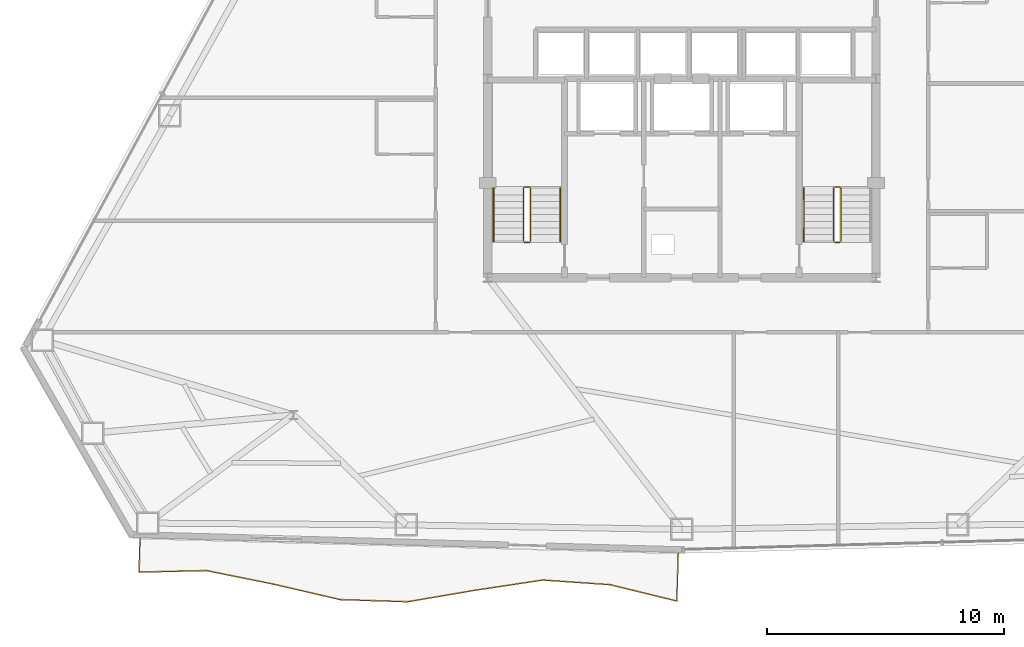
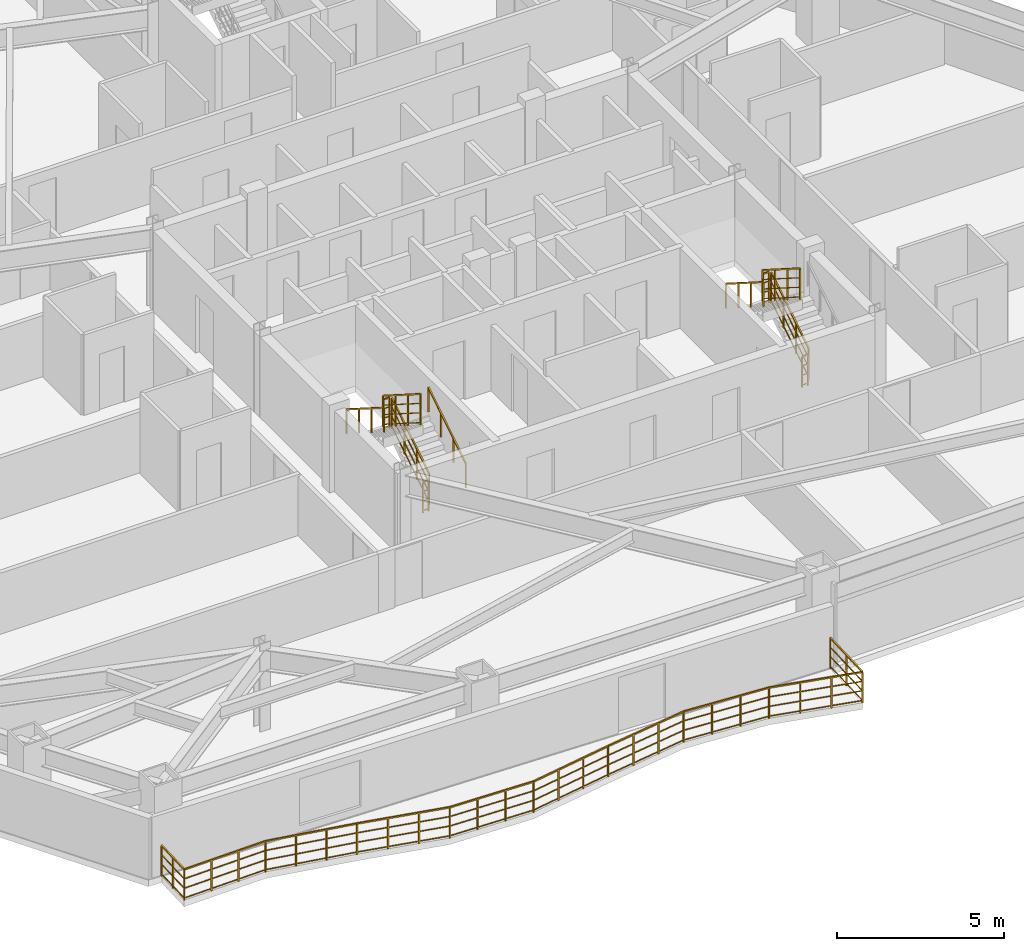
# One storey, part 12 of 13: 21 railings.
"""IFC4 building model written with IfcOpenShell, lengths in metres."""

from ifc_helpers import new_model, si_unit, direction, frame, origin, origin_2d, place, context, subcontext, project, spatial, rectangle, extrude, material, type_object, element, save


model = new_model("IFC4")

# Units and contexts
model_context = context("Model", 3, precision=1e-05, world=origin(), true_north=direction((0.0, 1.0)))
body_context = subcontext(model_context, "Body", "Model", "MODEL_VIEW")
ifc_project = project(units=[si_unit("LENGTHUNIT", "METRE"), si_unit("AREAUNIT", "SQUARE_METRE"), si_unit("VOLUMEUNIT", "CUBIC_METRE"), si_unit("PLANEANGLEUNIT", "RADIAN"), si_unit("MASSUNIT", "GRAM", prefix="KILO")], contexts=[model_context])

# Site, building, storey
site_placement = place(None, origin())
site = spatial("IfcSite", under=ifc_project, at=site_placement, CompositionType="ELEMENT")
building_placement = place(site_placement, origin())
building = spatial("IfcBuilding", under=site, at=building_placement, Name="Varakhsha Concourse Tower", CompositionType="ELEMENT")
storey_placement = place(building_placement, frame((0.0, 0.0, 108.60009765625)))
storey = spatial("IfcBuildingStorey", under=building, at=storey_placement, Name="L31", CompositionType="ELEMENT", Elevation=108.60009765625)

# Railings
ifc_material_1 = material(Name="Laminated Structural Low-Iron Glass 52 mm", Category="glass")
railing_type_1 = type_object("IfcRailingType", Name="RL-BALUSTRADE-1150", PredefinedType="BALUSTRADE", material=ifc_material_1)
railing_1_placement = place(storey_placement, frame((17.11572265625, 5.3876953125, 0.0)))
element("IfcRailing", 1, at=railing_1_placement, inside=storey, type_object=railing_type_1, Name="L31 Perimeter Safety Balustrade RL-LOG-L31-01", PredefinedType="BALUSTRADE", context=body_context, shape_type="SweptSolid", body=[
    extrude(rectangle(XDim=0.048095703125, YDim=0.048095703125, at=origin_2d()), frame((0.0, 0.0, 1.1259765625), z_axis=(-0.027396359008, -0.999624649312, 0.0), x_axis=(0.999624649312, -0.027396359008, 0.0)), (0.0, 0.0, 1.0), 1.42578125),
    extrude(rectangle(XDim=0.028076171875, YDim=0.028076171875, at=origin_2d()), frame((0.0, 0.0, 0.080078125), z_axis=(-0.027396359008, -0.999624649312, 0.0), x_axis=(0.999624649312, -0.027396359008, 0.0)), (0.0, 0.0, 1.0), 1.42578125),
    extrude(rectangle(XDim=0.028076171875, YDim=0.028076171875, at=origin_2d()), frame((0.0, 0.0, 0.43701171875), z_axis=(-0.027396359008, -0.999624649312, 0.0), x_axis=(0.999624649312, -0.027396359008, 0.0)), (0.0, 0.0, 1.0), 1.42578125),
    extrude(rectangle(XDim=0.028076171875, YDim=0.028076171875, at=origin_2d()), frame((0.0, 0.0, 0.781982421875), z_axis=(-0.027396359008, -0.999624649312, 0.0), x_axis=(0.999624649312, -0.027396359008, 0.0)), (0.0, 0.0, 1.0), 1.42578125),
    extrude(rectangle(XDim=0.0419921875, YDim=0.0419921875, at=origin_2d()), origin(), (0.0, 0.0, 1.0), 1.101806640625),
    extrude(rectangle(XDim=0.0419921875, YDim=0.0419921875, at=origin_2d()), frame((-0.01953125, -0.712646484375, 0.0)), (0.0, 0.0, 1.0), 1.101806640625),
    extrude(rectangle(XDim=0.0419921875, YDim=0.0419921875, at=origin_2d()), frame((-0.0390625, -1.42529296875, 0.0)), (0.0, 0.0, 1.0), 1.101806640625),
])
railing_2_placement = place(storey_placement, frame((17.07666015625, 3.96240234375, 0.0)))
element("IfcRailing", 2, at=railing_2_placement, inside=storey, type_object=railing_type_1, Name="L31 Perimeter Safety Balustrade RL-LOG-L31-02", PredefinedType="BALUSTRADE", context=body_context, shape_type="SweptSolid", body=[
    extrude(rectangle(XDim=0.048095703125, YDim=0.048095703125, at=origin_2d()), frame((0.0, 0.0, 1.1259765625), z_axis=(0.999741658394, 0.022729198651, 0.0), x_axis=(-0.022729198651, 0.999741658394, 0.0)), (0.0, 0.0, 1.0), 2.846435546875),
    extrude(rectangle(XDim=0.028076171875, YDim=0.028076171875, at=origin_2d()), frame((0.0, 0.0, 0.080078125), z_axis=(0.999741658394, 0.022729198651, 0.0), x_axis=(-0.022729198651, 0.999741658394, 0.0)), (0.0, 0.0, 1.0), 2.846435546875),
    extrude(rectangle(XDim=0.028076171875, YDim=0.028076171875, at=origin_2d()), frame((0.0, 0.0, 0.43701171875), z_axis=(0.999741658394, 0.022729198651, 0.0), x_axis=(-0.022729198651, 0.999741658394, 0.0)), (0.0, 0.0, 1.0), 2.846435546875),
    extrude(rectangle(XDim=0.028076171875, YDim=0.028076171875, at=origin_2d()), frame((0.0, 0.0, 0.781982421875), z_axis=(0.999741658394, 0.022729198651, 0.0), x_axis=(-0.022729198651, 0.999741658394, 0.0)), (0.0, 0.0, 1.0), 2.846435546875),
    extrude(rectangle(XDim=0.0419921875, YDim=0.0419921875, at=origin_2d()), origin(), (0.0, 0.0, 1.0), 1.101806640625),
    extrude(rectangle(XDim=0.0419921875, YDim=0.0419921875, at=origin_2d()), frame((0.948486328125, 0.021484375, 0.0)), (0.0, 0.0, 1.0), 1.101806640625),
    extrude(rectangle(XDim=0.0419921875, YDim=0.0419921875, at=origin_2d()), frame((1.897216796875, 0.043212890625, 0.0)), (0.0, 0.0, 1.0), 1.101806640625),
    extrude(rectangle(XDim=0.0419921875, YDim=0.0419921875, at=origin_2d()), frame((2.845703125, 0.064697265625, 0.0)), (0.0, 0.0, 1.0), 1.101806640625),
])
railing_3_placement = place(storey_placement, frame((19.92236328125, 4.027099609375, 0.0)))
element("IfcRailing", 3, at=railing_3_placement, inside=storey, type_object=railing_type_1, Name="L31 Perimeter Safety Balustrade RL-LOG-L31-03", PredefinedType="BALUSTRADE", context=body_context, shape_type="SweptSolid", body=[
    extrude(rectangle(XDim=0.048095703125, YDim=0.048095703125, at=origin_2d()), frame((0.0, 0.0, 1.1259765625), z_axis=(0.980184911847, -0.198084675296, 0.0), x_axis=(0.198084675296, 0.980184911847, 0.0)), (0.0, 0.0, 1.0), 2.88525390625),
    extrude(rectangle(XDim=0.028076171875, YDim=0.028076171875, at=origin_2d()), frame((0.0, 0.0, 0.080078125), z_axis=(0.980184911847, -0.198084675296, 0.0), x_axis=(0.198084675296, 0.980184911847, 0.0)), (0.0, 0.0, 1.0), 2.88525390625),
    extrude(rectangle(XDim=0.028076171875, YDim=0.028076171875, at=origin_2d()), frame((0.0, 0.0, 0.43701171875), z_axis=(0.980184911847, -0.198084675296, 0.0), x_axis=(0.198084675296, 0.980184911847, 0.0)), (0.0, 0.0, 1.0), 2.88525390625),
    extrude(rectangle(XDim=0.028076171875, YDim=0.028076171875, at=origin_2d()), frame((0.0, 0.0, 0.781982421875), z_axis=(0.980184911847, -0.198084675296, 0.0), x_axis=(0.198084675296, 0.980184911847, 0.0)), (0.0, 0.0, 1.0), 2.88525390625),
    extrude(rectangle(XDim=0.0419921875, YDim=0.0419921875, at=origin_2d()), origin(), (0.0, 0.0, 1.0), 1.101806640625),
    extrude(rectangle(XDim=0.0419921875, YDim=0.0419921875, at=origin_2d()), frame((0.942626953125, -0.1904296875, 0.0)), (0.0, 0.0, 1.0), 1.101806640625),
    extrude(rectangle(XDim=0.0419921875, YDim=0.0419921875, at=origin_2d()), frame((1.885498046875, -0.381103515625, 0.0)), (0.0, 0.0, 1.0), 1.101806640625),
    extrude(rectangle(XDim=0.0419921875, YDim=0.0419921875, at=origin_2d()), frame((2.828125, -0.571533203125, 0.0)), (0.0, 0.0, 1.0), 1.101806640625),
])
railing_4_placement = place(storey_placement, frame((22.75048828125, 3.45556640625, 0.0)))
element("IfcRailing", 4, at=railing_4_placement, inside=storey, type_object=railing_type_1, Name="L31 Perimeter Safety Balustrade RL-LOG-L31-04", PredefinedType="BALUSTRADE", context=body_context, shape_type="SweptSolid", body=[
    extrude(rectangle(XDim=0.048095703125, YDim=0.048095703125, at=origin_2d()), frame((0.0, 0.0, 1.1259765625), z_axis=(0.974209308699, -0.225646233834, 0.0), x_axis=(0.225646233834, 0.974209308699, 0.0)), (0.0, 0.0, 1.0), 2.900634765625),
    extrude(rectangle(XDim=0.028076171875, YDim=0.028076171875, at=origin_2d()), frame((0.0, 0.0, 0.080078125), z_axis=(0.974209308699, -0.225646233834, 0.0), x_axis=(0.225646233834, 0.974209308699, 0.0)), (0.0, 0.0, 1.0), 2.900634765625),
    extrude(rectangle(XDim=0.028076171875, YDim=0.028076171875, at=origin_2d()), frame((0.0, 0.0, 0.43701171875), z_axis=(0.974209308699, -0.225646233834, 0.0), x_axis=(0.225646233834, 0.974209308699, 0.0)), (0.0, 0.0, 1.0), 2.900634765625),
    extrude(rectangle(XDim=0.028076171875, YDim=0.028076171875, at=origin_2d()), frame((0.0, 0.0, 0.781982421875), z_axis=(0.974209308699, -0.225646233834, 0.0), x_axis=(0.225646233834, 0.974209308699, 0.0)), (0.0, 0.0, 1.0), 2.900634765625),
    extrude(rectangle(XDim=0.0419921875, YDim=0.0419921875, at=origin_2d()), origin(), (0.0, 0.0, 1.0), 1.101806640625),
    extrude(rectangle(XDim=0.0419921875, YDim=0.0419921875, at=origin_2d()), frame((0.94189453125, -0.21826171875, 0.0)), (0.0, 0.0, 1.0), 1.101806640625),
    extrude(rectangle(XDim=0.0419921875, YDim=0.0419921875, at=origin_2d()), frame((1.884033203125, -0.436279296875, 0.0)), (0.0, 0.0, 1.0), 1.101806640625),
    extrude(rectangle(XDim=0.0419921875, YDim=0.0419921875, at=origin_2d()), frame((2.825927734375, -0.654541015625, 0.0)), (0.0, 0.0, 1.0), 1.101806640625),
])
railing_5_placement = place(storey_placement, frame((25.576416015625, 2.801025390625, 0.0)))
element("IfcRailing", 5, at=railing_5_placement, inside=storey, type_object=railing_type_1, Name="L31 Perimeter Safety Balustrade RL-LOG-L31-05", PredefinedType="BALUSTRADE", context=body_context, shape_type="SweptSolid", body=[
    extrude(rectangle(XDim=0.048095703125, YDim=0.048095703125, at=origin_2d()), frame((0.0, 0.0, 1.1259765625), z_axis=(0.999489534329, -0.031947938372, 0.0), x_axis=(0.031947938372, 0.999489534329, 0.0)), (0.0, 0.0, 1.0), 2.8427734375),
    extrude(rectangle(XDim=0.028076171875, YDim=0.028076171875, at=origin_2d()), frame((0.0, 0.0, 0.080078125), z_axis=(0.999489534329, -0.031947938372, 0.0), x_axis=(0.031947938372, 0.999489534329, 0.0)), (0.0, 0.0, 1.0), 2.8427734375),
    extrude(rectangle(XDim=0.028076171875, YDim=0.028076171875, at=origin_2d()), frame((0.0, 0.0, 0.43701171875), z_axis=(0.999489534329, -0.031947938372, 0.0), x_axis=(0.031947938372, 0.999489534329, 0.0)), (0.0, 0.0, 1.0), 2.8427734375),
    extrude(rectangle(XDim=0.028076171875, YDim=0.028076171875, at=origin_2d()), frame((0.0, 0.0, 0.781982421875), z_axis=(0.999489534329, -0.031947938372, 0.0), x_axis=(0.031947938372, 0.999489534329, 0.0)), (0.0, 0.0, 1.0), 2.8427734375),
    extrude(rectangle(XDim=0.0419921875, YDim=0.0419921875, at=origin_2d()), origin(), (0.0, 0.0, 1.0), 1.101806640625),
    extrude(rectangle(XDim=0.0419921875, YDim=0.0419921875, at=origin_2d()), frame((0.947021484375, -0.0302734375, 0.0)), (0.0, 0.0, 1.0), 1.101806640625),
    extrude(rectangle(XDim=0.0419921875, YDim=0.0419921875, at=origin_2d()), frame((1.894287109375, -0.060546875, 0.0)), (0.0, 0.0, 1.0), 1.101806640625),
    extrude(rectangle(XDim=0.0419921875, YDim=0.0419921875, at=origin_2d()), frame((2.84130859375, -0.0908203125, 0.0)), (0.0, 0.0, 1.0), 1.101806640625),
])
railing_6_placement = place(storey_placement, frame((28.417724609375, 2.710205078125, 0.0)))
element("IfcRailing", 6, at=railing_6_placement, inside=storey, type_object=railing_type_1, Name="L31 Perimeter Safety Balustrade RL-LOG-L31-06", PredefinedType="BALUSTRADE", context=body_context, shape_type="SweptSolid", body=[
    extrude(rectangle(XDim=0.048095703125, YDim=0.048095703125, at=origin_2d()), frame((0.0, 0.0, 1.1259765625), z_axis=(0.985781716034, 0.168030974324, 0.0), x_axis=(-0.168030974324, 0.985781716034, 0.0)), (0.0, 0.0, 1.0), 2.898681640625),
    extrude(rectangle(XDim=0.028076171875, YDim=0.028076171875, at=origin_2d()), frame((0.0, 0.0, 0.080078125), z_axis=(0.985781716034, 0.168030974324, 0.0), x_axis=(-0.168030974324, 0.985781716034, 0.0)), (0.0, 0.0, 1.0), 2.898681640625),
    extrude(rectangle(XDim=0.028076171875, YDim=0.028076171875, at=origin_2d()), frame((0.0, 0.0, 0.43701171875), z_axis=(0.985781716034, 0.168030974324, 0.0), x_axis=(-0.168030974324, 0.985781716034, 0.0)), (0.0, 0.0, 1.0), 2.898681640625),
    extrude(rectangle(XDim=0.028076171875, YDim=0.028076171875, at=origin_2d()), frame((0.0, 0.0, 0.781982421875), z_axis=(0.985781716034, 0.168030974324, 0.0), x_axis=(-0.168030974324, 0.985781716034, 0.0)), (0.0, 0.0, 1.0), 2.898681640625),
    extrude(rectangle(XDim=0.0419921875, YDim=0.0419921875, at=origin_2d()), origin(), (0.0, 0.0, 1.0), 1.101806640625),
    extrude(rectangle(XDim=0.0419921875, YDim=0.0419921875, at=origin_2d()), frame((0.952392578125, 0.162353515625, 0.0)), (0.0, 0.0, 1.0), 1.101806640625),
    extrude(rectangle(XDim=0.0419921875, YDim=0.0419921875, at=origin_2d()), frame((1.905029296875, 0.32470703125, 0.0)), (0.0, 0.0, 1.0), 1.101806640625),
    extrude(rectangle(XDim=0.0419921875, YDim=0.0419921875, at=origin_2d()), frame((2.857421875, 0.487060546875, 0.0)), (0.0, 0.0, 1.0), 1.101806640625),
])
railing_7_placement = place(storey_placement, frame((31.275146484375, 3.197265625, 0.0)))
element("IfcRailing", 7, at=railing_7_placement, inside=storey, type_object=railing_type_1, Name="L31 Perimeter Safety Balustrade RL-LOG-L31-07", PredefinedType="BALUSTRADE", context=body_context, shape_type="SweptSolid", body=[
    extrude(rectangle(XDim=0.048095703125, YDim=0.048095703125, at=origin_2d()), frame((0.0, 0.0, 1.1259765625), z_axis=(0.988831313079, 0.149039036074, 0.0), x_axis=(-0.149039036074, 0.988831313079, 0.0)), (0.0, 0.0, 1.0), 2.887939453125),
    extrude(rectangle(XDim=0.028076171875, YDim=0.028076171875, at=origin_2d()), frame((0.0, 0.0, 0.080078125), z_axis=(0.988831313079, 0.149039036074, 0.0), x_axis=(-0.149039036074, 0.988831313079, 0.0)), (0.0, 0.0, 1.0), 2.887939453125),
    extrude(rectangle(XDim=0.028076171875, YDim=0.028076171875, at=origin_2d()), frame((0.0, 0.0, 0.43701171875), z_axis=(0.988831313079, 0.149039036074, 0.0), x_axis=(-0.149039036074, 0.988831313079, 0.0)), (0.0, 0.0, 1.0), 2.887939453125),
    extrude(rectangle(XDim=0.028076171875, YDim=0.028076171875, at=origin_2d()), frame((0.0, 0.0, 0.781982421875), z_axis=(0.988831313079, 0.149039036074, 0.0), x_axis=(-0.149039036074, 0.988831313079, 0.0)), (0.0, 0.0, 1.0), 2.887939453125),
    extrude(rectangle(XDim=0.0419921875, YDim=0.0419921875, at=origin_2d()), origin(), (0.0, 0.0, 1.0), 1.101806640625),
    extrude(rectangle(XDim=0.0419921875, YDim=0.0419921875, at=origin_2d()), frame((0.951904296875, 0.1435546875, 0.0)), (0.0, 0.0, 1.0), 1.101806640625),
    extrude(rectangle(XDim=0.0419921875, YDim=0.0419921875, at=origin_2d()), frame((1.90380859375, 0.286865234375, 0.0)), (0.0, 0.0, 1.0), 1.101806640625),
    extrude(rectangle(XDim=0.0419921875, YDim=0.0419921875, at=origin_2d()), frame((2.855712890625, 0.430419921875, 0.0)), (0.0, 0.0, 1.0), 1.101806640625),
])
railing_8_placement = place(storey_placement, frame((34.130859375, 3.627685546875, 0.0)))
element("IfcRailing", 8, at=railing_8_placement, inside=storey, type_object=railing_type_1, Name="L31 Perimeter Safety Balustrade RL-LOG-L31-08", PredefinedType="BALUSTRADE", context=body_context, shape_type="SweptSolid", body=[
    extrude(rectangle(XDim=0.048095703125, YDim=0.048095703125, at=origin_2d()), frame((0.0, 0.0, 1.1259765625), z_axis=(0.99759997338, -0.069240834138, 0.0), x_axis=(0.069240834138, 0.99759997338, 0.0)), (0.0, 0.0, 1.0), 2.845458984375),
    extrude(rectangle(XDim=0.028076171875, YDim=0.028076171875, at=origin_2d()), frame((0.0, 0.0, 0.080078125), z_axis=(0.99759997338, -0.069240834138, 0.0), x_axis=(0.069240834138, 0.99759997338, 0.0)), (0.0, 0.0, 1.0), 2.845458984375),
    extrude(rectangle(XDim=0.028076171875, YDim=0.028076171875, at=origin_2d()), frame((0.0, 0.0, 0.43701171875), z_axis=(0.99759997338, -0.069240834138, 0.0), x_axis=(0.069240834138, 0.99759997338, 0.0)), (0.0, 0.0, 1.0), 2.845458984375),
    extrude(rectangle(XDim=0.028076171875, YDim=0.028076171875, at=origin_2d()), frame((0.0, 0.0, 0.781982421875), z_axis=(0.99759997338, -0.069240834138, 0.0), x_axis=(0.069240834138, 0.99759997338, 0.0)), (0.0, 0.0, 1.0), 2.845458984375),
    extrude(rectangle(XDim=0.0419921875, YDim=0.0419921875, at=origin_2d()), origin(), (0.0, 0.0, 1.0), 1.101806640625),
    extrude(rectangle(XDim=0.0419921875, YDim=0.0419921875, at=origin_2d()), frame((0.9462890625, -0.065673828125, 0.0)), (0.0, 0.0, 1.0), 1.101806640625),
    extrude(rectangle(XDim=0.0419921875, YDim=0.0419921875, at=origin_2d()), frame((1.892333984375, -0.13134765625, 0.0)), (0.0, 0.0, 1.0), 1.101806640625),
    extrude(rectangle(XDim=0.0419921875, YDim=0.0419921875, at=origin_2d()), frame((2.838623046875, -0.197021484375, 0.0)), (0.0, 0.0, 1.0), 1.101806640625),
])
railing_9_placement = place(storey_placement, frame((36.969482421875, 3.4306640625, 0.0)))
element("IfcRailing", 9, at=railing_9_placement, inside=storey, type_object=railing_type_1, Name="L31 Perimeter Safety Balustrade RL-LOG-L31-09", PredefinedType="BALUSTRADE", context=body_context, shape_type="SweptSolid", body=[
    extrude(rectangle(XDim=0.048095703125, YDim=0.048095703125, at=origin_2d()), frame((0.0, 0.0, 1.1259765625), z_axis=(0.971325805491, -0.237752349278, 0.0), x_axis=(0.237752349278, 0.971325805491, 0.0)), (0.0, 0.0, 1.0), 2.908203125),
    extrude(rectangle(XDim=0.028076171875, YDim=0.028076171875, at=origin_2d()), frame((0.0, 0.0, 0.080078125), z_axis=(0.971325805491, -0.237752349278, 0.0), x_axis=(0.237752349278, 0.971325805491, 0.0)), (0.0, 0.0, 1.0), 2.908203125),
    extrude(rectangle(XDim=0.028076171875, YDim=0.028076171875, at=origin_2d()), frame((0.0, 0.0, 0.43701171875), z_axis=(0.971325805491, -0.237752349278, 0.0), x_axis=(0.237752349278, 0.971325805491, 0.0)), (0.0, 0.0, 1.0), 2.908203125),
    extrude(rectangle(XDim=0.028076171875, YDim=0.028076171875, at=origin_2d()), frame((0.0, 0.0, 0.781982421875), z_axis=(0.971325805491, -0.237752349278, 0.0), x_axis=(0.237752349278, 0.971325805491, 0.0)), (0.0, 0.0, 1.0), 2.908203125),
    extrude(rectangle(XDim=0.0419921875, YDim=0.0419921875, at=origin_2d()), origin(), (0.0, 0.0, 1.0), 1.101806640625),
    extrude(rectangle(XDim=0.0419921875, YDim=0.0419921875, at=origin_2d()), frame((0.941650390625, -0.23046875, 0.0)), (0.0, 0.0, 1.0), 1.101806640625),
    extrude(rectangle(XDim=0.0419921875, YDim=0.0419921875, at=origin_2d()), frame((1.883056640625, -0.4609375, 0.0)), (0.0, 0.0, 1.0), 1.101806640625),
    extrude(rectangle(XDim=0.0419921875, YDim=0.0419921875, at=origin_2d()), frame((2.82470703125, -0.69140625, 0.0)), (0.0, 0.0, 1.0), 1.101806640625),
])
railing_10_placement = place(storey_placement, frame((39.794189453125, 2.7392578125, 0.0)))
element("IfcRailing", 10, at=railing_10_placement, inside=storey, type_object=railing_type_1, Name="L31 Perimeter Safety Balustrade RL-LOG-L31-10", PredefinedType="BALUSTRADE", context=body_context, shape_type="SweptSolid", body=[
    extrude(rectangle(XDim=0.048095703125, YDim=0.048095703125, at=origin_2d()), frame((0.0, 0.0, 1.1259765625), z_axis=(0.02764309735, 0.999617856568, 0.0), x_axis=(-0.999617856568, 0.02764309735, 0.0)), (0.0, 0.0, 1.0), 2.0224609375),
    extrude(rectangle(XDim=0.028076171875, YDim=0.028076171875, at=origin_2d()), frame((0.0, 0.0, 0.080078125), z_axis=(0.02764309735, 0.999617856568, 0.0), x_axis=(-0.999617856568, 0.02764309735, 0.0)), (0.0, 0.0, 1.0), 2.0224609375),
    extrude(rectangle(XDim=0.028076171875, YDim=0.028076171875, at=origin_2d()), frame((0.0, 0.0, 0.43701171875), z_axis=(0.02764309735, 0.999617856568, 0.0), x_axis=(-0.999617856568, 0.02764309735, 0.0)), (0.0, 0.0, 1.0), 2.0224609375),
    extrude(rectangle(XDim=0.028076171875, YDim=0.028076171875, at=origin_2d()), frame((0.0, 0.0, 0.781982421875), z_axis=(0.02764309735, 0.999617856568, 0.0), x_axis=(-0.999617856568, 0.02764309735, 0.0)), (0.0, 0.0, 1.0), 2.0224609375),
    extrude(rectangle(XDim=0.0419921875, YDim=0.0419921875, at=origin_2d()), origin(), (0.0, 0.0, 1.0), 1.101806640625),
    extrude(rectangle(XDim=0.0419921875, YDim=0.0419921875, at=origin_2d()), frame((0.02783203125, 1.0107421875, 0.0)), (0.0, 0.0, 1.0), 1.101806640625),
    extrude(rectangle(XDim=0.0419921875, YDim=0.0419921875, at=origin_2d()), frame((0.055908203125, 2.021728515625, 0.0)), (0.0, 0.0, 1.0), 1.101806640625),
])
ifc_material_2 = material(Name="Brushed Austenitic Stainless Steel AISI 316", Category="steel")
railing_type_2 = type_object("IfcRailingType", Name="RL-STAIR-GUARD-1100", PredefinedType="GUARDRAIL", material=ifc_material_2)
railing_11_placement = place(storey_placement, frame((33.610107421875, 17.93994140625, 0.177734375)))
element("IfcRailing", 11, at=railing_11_placement, inside=storey, type_object=railing_type_2, Name="L31 ST1 stair guard 1", PredefinedType="GUARDRAIL", context=body_context, shape_type="SweptSolid", body=[
    extrude(rectangle(XDim=0.048095703125, YDim=0.048095703125, at=origin_2d()), frame((0.0, 0.0, 1.1259765625), z_axis=(0.0, 0.8442293374, 0.53598211339), x_axis=(-1.0, 0.0, 0.0)), (0.0, 0.0, 1.0), 2.6533203125),
    extrude(rectangle(XDim=0.028076171875, YDim=0.028076171875, at=origin_2d()), frame((0.0, 0.0, 0.080078125), z_axis=(0.0, 0.8442293374, 0.53598211339), x_axis=(-1.0, 0.0, 0.0)), (0.0, 0.0, 1.0), 2.6533203125),
    extrude(rectangle(XDim=0.028076171875, YDim=0.028076171875, at=origin_2d()), frame((0.0, 0.0, 0.43701171875), z_axis=(0.0, 0.8442293374, 0.53598211339), x_axis=(-1.0, 0.0, 0.0)), (0.0, 0.0, 1.0), 2.6533203125),
    extrude(rectangle(XDim=0.028076171875, YDim=0.028076171875, at=origin_2d()), frame((0.0, 0.0, 0.781982421875), z_axis=(0.0, 0.8442293374, 0.53598211339), x_axis=(-1.0, 0.0, 0.0)), (0.0, 0.0, 1.0), 2.6533203125),
    extrude(rectangle(XDim=0.0419921875, YDim=0.0419921875, at=origin_2d()), origin(), (0.0, 0.0, 1.0), 1.101806640625),
    extrude(rectangle(XDim=0.0419921875, YDim=0.0419921875, at=origin_2d()), frame((0.0, 0.74658203125, 0.47412109375)), (0.0, 0.0, 1.0), 1.101806640625),
    extrude(rectangle(XDim=0.0419921875, YDim=0.0419921875, at=origin_2d()), frame((0.0, 1.493408203125, 0.947998046875)), (0.0, 0.0, 1.0), 1.101806640625),
    extrude(rectangle(XDim=0.0419921875, YDim=0.0419921875, at=origin_2d()), frame((0.0, 2.239990234375, 1.422119140625)), (0.0, 0.0, 1.0), 1.101806640625),
])
railing_12_placement = place(storey_placement, frame((33.56005859375, 20.22998046875, 1.599853515625)))
element("IfcRailing", 12, at=railing_12_placement, inside=storey, type_object=railing_type_2, Name="L31 ST1 stair guard 2", PredefinedType="GUARDRAIL", context=body_context, shape_type="SweptSolid", body=[
    extrude(rectangle(XDim=0.048095703125, YDim=0.048095703125, at=origin_2d()), frame((0.0, 0.0, 1.1259765625), z_axis=(-1.0, 0.0, 0.0), x_axis=(0.0, -1.0, 0.0)), (0.0, 0.0, 1.0), 0.199951171875),
    extrude(rectangle(XDim=0.028076171875, YDim=0.028076171875, at=origin_2d()), frame((0.0, 0.0, 0.080078125), z_axis=(-1.0, 0.0, 0.0), x_axis=(0.0, -1.0, 0.0)), (0.0, 0.0, 1.0), 0.199951171875),
    extrude(rectangle(XDim=0.028076171875, YDim=0.028076171875, at=origin_2d()), frame((0.0, 0.0, 0.43701171875), z_axis=(-1.0, 0.0, 0.0), x_axis=(0.0, -1.0, 0.0)), (0.0, 0.0, 1.0), 0.199951171875),
    extrude(rectangle(XDim=0.028076171875, YDim=0.028076171875, at=origin_2d()), frame((0.0, 0.0, 0.781982421875), z_axis=(-1.0, 0.0, 0.0), x_axis=(0.0, -1.0, 0.0)), (0.0, 0.0, 1.0), 0.199951171875),
    extrude(rectangle(XDim=0.0419921875, YDim=0.0419921875, at=origin_2d()), origin(), (0.0, 0.0, 1.0), 1.101806640625),
    extrude(rectangle(XDim=0.0419921875, YDim=0.0419921875, at=origin_2d()), frame((-0.199951171875, 0.0, 0.0)), (0.0, 0.0, 1.0), 1.101806640625),
])
railing_13_placement = place(storey_placement, frame((33.31005859375, 20.179931640625, 1.777587890625)))
element("IfcRailing", 13, at=railing_13_placement, inside=storey, type_object=railing_type_2, Name="L31 ST1 stair guard 3", PredefinedType="GUARDRAIL", context=body_context, shape_type="SweptSolid", body=[
    extrude(rectangle(XDim=0.048095703125, YDim=0.048095703125, at=origin_2d()), frame((0.0, 0.0, 1.1259765625), z_axis=(0.0, -0.84418770128, 0.536047689118), x_axis=(1.0, 0.0, 0.0)), (0.0, 0.0, 1.0), 2.6533203125),
    extrude(rectangle(XDim=0.028076171875, YDim=0.028076171875, at=origin_2d()), frame((0.0, 0.0, 0.080078125), z_axis=(0.0, -0.84418770128, 0.536047689118), x_axis=(1.0, 0.0, 0.0)), (0.0, 0.0, 1.0), 2.6533203125),
    extrude(rectangle(XDim=0.028076171875, YDim=0.028076171875, at=origin_2d()), frame((0.0, 0.0, 0.43701171875), z_axis=(0.0, -0.84418770128, 0.536047689118), x_axis=(1.0, 0.0, 0.0)), (0.0, 0.0, 1.0), 2.6533203125),
    extrude(rectangle(XDim=0.028076171875, YDim=0.028076171875, at=origin_2d()), frame((0.0, 0.0, 0.781982421875), z_axis=(0.0, -0.84418770128, 0.536047689118), x_axis=(1.0, 0.0, 0.0)), (0.0, 0.0, 1.0), 2.6533203125),
    extrude(rectangle(XDim=0.0419921875, YDim=0.0419921875, at=origin_2d()), origin(), (0.0, 0.0, 1.0), 1.101806640625),
    extrude(rectangle(XDim=0.0419921875, YDim=0.0419921875, at=origin_2d()), frame((0.0, -0.74658203125, 0.47412109375)), (0.0, 0.0, 1.0), 1.101806640625),
    extrude(rectangle(XDim=0.0419921875, YDim=0.0419921875, at=origin_2d()), frame((0.0, -1.493408203125, 0.9482421875)), (0.0, 0.0, 1.0), 1.101806640625),
    extrude(rectangle(XDim=0.0419921875, YDim=0.0419921875, at=origin_2d()), frame((0.0, -2.239990234375, 1.42236328125)), (0.0, 0.0, 1.0), 1.101806640625),
])
railing_14_placement = place(storey_placement, frame((33.56005859375, 17.889892578125, 0.0)))
element("IfcRailing", 14, at=railing_14_placement, inside=storey, type_object=railing_type_2, Name="L31 ST1 stair guard 4", PredefinedType="GUARDRAIL", context=body_context, shape_type="SweptSolid", body=[
    extrude(rectangle(XDim=0.048095703125, YDim=0.048095703125, at=origin_2d()), frame((0.0, 0.0, 1.1259765625), z_axis=(-1.0, 0.0, 0.0), x_axis=(0.0, -1.0, 0.0)), (0.0, 0.0, 1.0), 0.199951171875),
    extrude(rectangle(XDim=0.028076171875, YDim=0.028076171875, at=origin_2d()), frame((0.0, 0.0, 0.080078125), z_axis=(-1.0, 0.0, 0.0), x_axis=(0.0, -1.0, 0.0)), (0.0, 0.0, 1.0), 0.199951171875),
    extrude(rectangle(XDim=0.028076171875, YDim=0.028076171875, at=origin_2d()), frame((0.0, 0.0, 0.43701171875), z_axis=(-1.0, 0.0, 0.0), x_axis=(0.0, -1.0, 0.0)), (0.0, 0.0, 1.0), 0.199951171875),
    extrude(rectangle(XDim=0.028076171875, YDim=0.028076171875, at=origin_2d()), frame((0.0, 0.0, 0.781982421875), z_axis=(-1.0, 0.0, 0.0), x_axis=(0.0, -1.0, 0.0)), (0.0, 0.0, 1.0), 0.199951171875),
    extrude(rectangle(XDim=0.0419921875, YDim=0.0419921875, at=origin_2d()), origin(), (0.0, 0.0, 1.0), 1.101806640625),
    extrude(rectangle(XDim=0.0419921875, YDim=0.0419921875, at=origin_2d()), frame((-0.199951171875, 0.0, 0.0)), (0.0, 0.0, 1.0), 1.101806640625),
])
railing_15_placement = place(storey_placement, frame((46.7099609375, 17.93994140625, 0.177734375)))
element("IfcRailing", 15, at=railing_15_placement, inside=storey, type_object=railing_type_2, Name="L31 ST2 stair guard 1", PredefinedType="GUARDRAIL", context=body_context, shape_type="SweptSolid", body=[
    extrude(rectangle(XDim=0.048095703125, YDim=0.048095703125, at=origin_2d()), frame((0.0, 0.0, 1.1259765625), z_axis=(0.0, 0.8442293374, 0.53598211339), x_axis=(-1.0, 0.0, 0.0)), (0.0, 0.0, 1.0), 2.6533203125),
    extrude(rectangle(XDim=0.028076171875, YDim=0.028076171875, at=origin_2d()), frame((0.0, 0.0, 0.080078125), z_axis=(0.0, 0.8442293374, 0.53598211339), x_axis=(-1.0, 0.0, 0.0)), (0.0, 0.0, 1.0), 2.6533203125),
    extrude(rectangle(XDim=0.028076171875, YDim=0.028076171875, at=origin_2d()), frame((0.0, 0.0, 0.43701171875), z_axis=(0.0, 0.8442293374, 0.53598211339), x_axis=(-1.0, 0.0, 0.0)), (0.0, 0.0, 1.0), 2.6533203125),
    extrude(rectangle(XDim=0.028076171875, YDim=0.028076171875, at=origin_2d()), frame((0.0, 0.0, 0.781982421875), z_axis=(0.0, 0.8442293374, 0.53598211339), x_axis=(-1.0, 0.0, 0.0)), (0.0, 0.0, 1.0), 2.6533203125),
    extrude(rectangle(XDim=0.0419921875, YDim=0.0419921875, at=origin_2d()), origin(), (0.0, 0.0, 1.0), 1.101806640625),
    extrude(rectangle(XDim=0.0419921875, YDim=0.0419921875, at=origin_2d()), frame((0.0, 0.74658203125, 0.47412109375)), (0.0, 0.0, 1.0), 1.101806640625),
    extrude(rectangle(XDim=0.0419921875, YDim=0.0419921875, at=origin_2d()), frame((0.0, 1.493408203125, 0.947998046875)), (0.0, 0.0, 1.0), 1.101806640625),
    extrude(rectangle(XDim=0.0419921875, YDim=0.0419921875, at=origin_2d()), frame((0.0, 2.239990234375, 1.422119140625)), (0.0, 0.0, 1.0), 1.101806640625),
])
railing_16_placement = place(storey_placement, frame((46.659912109375, 20.22998046875, 1.599853515625)))
element("IfcRailing", 16, at=railing_16_placement, inside=storey, type_object=railing_type_2, Name="L31 ST2 stair guard 2", PredefinedType="GUARDRAIL", context=body_context, shape_type="SweptSolid", body=[
    extrude(rectangle(XDim=0.048095703125, YDim=0.048095703125, at=origin_2d()), frame((0.0, 0.0, 1.1259765625), z_axis=(-1.0, 0.0, 0.0), x_axis=(0.0, -1.0, 0.0)), (0.0, 0.0, 1.0), 0.199951171875),
    extrude(rectangle(XDim=0.028076171875, YDim=0.028076171875, at=origin_2d()), frame((0.0, 0.0, 0.080078125), z_axis=(-1.0, 0.0, 0.0), x_axis=(0.0, -1.0, 0.0)), (0.0, 0.0, 1.0), 0.199951171875),
    extrude(rectangle(XDim=0.028076171875, YDim=0.028076171875, at=origin_2d()), frame((0.0, 0.0, 0.43701171875), z_axis=(-1.0, 0.0, 0.0), x_axis=(0.0, -1.0, 0.0)), (0.0, 0.0, 1.0), 0.199951171875),
    extrude(rectangle(XDim=0.028076171875, YDim=0.028076171875, at=origin_2d()), frame((0.0, 0.0, 0.781982421875), z_axis=(-1.0, 0.0, 0.0), x_axis=(0.0, -1.0, 0.0)), (0.0, 0.0, 1.0), 0.199951171875),
    extrude(rectangle(XDim=0.0419921875, YDim=0.0419921875, at=origin_2d()), origin(), (0.0, 0.0, 1.0), 1.101806640625),
    extrude(rectangle(XDim=0.0419921875, YDim=0.0419921875, at=origin_2d()), frame((-0.199951171875, 0.0, 0.0)), (0.0, 0.0, 1.0), 1.101806640625),
])
railing_17_placement = place(storey_placement, frame((46.409912109375, 20.179931640625, 1.777587890625)))
element("IfcRailing", 17, at=railing_17_placement, inside=storey, type_object=railing_type_2, Name="L31 ST2 stair guard 3", PredefinedType="GUARDRAIL", context=body_context, shape_type="SweptSolid", body=[
    extrude(rectangle(XDim=0.048095703125, YDim=0.048095703125, at=origin_2d()), frame((0.0, 0.0, 1.1259765625), z_axis=(0.0, -0.84418770128, 0.536047689118), x_axis=(1.0, 0.0, 0.0)), (0.0, 0.0, 1.0), 2.6533203125),
    extrude(rectangle(XDim=0.028076171875, YDim=0.028076171875, at=origin_2d()), frame((0.0, 0.0, 0.080078125), z_axis=(0.0, -0.84418770128, 0.536047689118), x_axis=(1.0, 0.0, 0.0)), (0.0, 0.0, 1.0), 2.6533203125),
    extrude(rectangle(XDim=0.028076171875, YDim=0.028076171875, at=origin_2d()), frame((0.0, 0.0, 0.43701171875), z_axis=(0.0, -0.84418770128, 0.536047689118), x_axis=(1.0, 0.0, 0.0)), (0.0, 0.0, 1.0), 2.6533203125),
    extrude(rectangle(XDim=0.028076171875, YDim=0.028076171875, at=origin_2d()), frame((0.0, 0.0, 0.781982421875), z_axis=(0.0, -0.84418770128, 0.536047689118), x_axis=(1.0, 0.0, 0.0)), (0.0, 0.0, 1.0), 2.6533203125),
    extrude(rectangle(XDim=0.0419921875, YDim=0.0419921875, at=origin_2d()), origin(), (0.0, 0.0, 1.0), 1.101806640625),
    extrude(rectangle(XDim=0.0419921875, YDim=0.0419921875, at=origin_2d()), frame((0.0, -0.74658203125, 0.47412109375)), (0.0, 0.0, 1.0), 1.101806640625),
    extrude(rectangle(XDim=0.0419921875, YDim=0.0419921875, at=origin_2d()), frame((0.0, -1.493408203125, 0.9482421875)), (0.0, 0.0, 1.0), 1.101806640625),
    extrude(rectangle(XDim=0.0419921875, YDim=0.0419921875, at=origin_2d()), frame((0.0, -2.239990234375, 1.42236328125)), (0.0, 0.0, 1.0), 1.101806640625),
])
railing_18_placement = place(storey_placement, frame((46.659912109375, 17.889892578125, 0.0)))
element("IfcRailing", 18, at=railing_18_placement, inside=storey, type_object=railing_type_2, Name="L31 ST2 stair guard 4", PredefinedType="GUARDRAIL", context=body_context, shape_type="SweptSolid", body=[
    extrude(rectangle(XDim=0.048095703125, YDim=0.048095703125, at=origin_2d()), frame((0.0, 0.0, 1.1259765625), z_axis=(-1.0, 0.0, 0.0), x_axis=(0.0, -1.0, 0.0)), (0.0, 0.0, 1.0), 0.199951171875),
    extrude(rectangle(XDim=0.028076171875, YDim=0.028076171875, at=origin_2d()), frame((0.0, 0.0, 0.080078125), z_axis=(-1.0, 0.0, 0.0), x_axis=(0.0, -1.0, 0.0)), (0.0, 0.0, 1.0), 0.199951171875),
    extrude(rectangle(XDim=0.028076171875, YDim=0.028076171875, at=origin_2d()), frame((0.0, 0.0, 0.43701171875), z_axis=(-1.0, 0.0, 0.0), x_axis=(0.0, -1.0, 0.0)), (0.0, 0.0, 1.0), 0.199951171875),
    extrude(rectangle(XDim=0.028076171875, YDim=0.028076171875, at=origin_2d()), frame((0.0, 0.0, 0.781982421875), z_axis=(-1.0, 0.0, 0.0), x_axis=(0.0, -1.0, 0.0)), (0.0, 0.0, 1.0), 0.199951171875),
    extrude(rectangle(XDim=0.0419921875, YDim=0.0419921875, at=origin_2d()), origin(), (0.0, 0.0, 1.0), 1.101806640625),
    extrude(rectangle(XDim=0.0419921875, YDim=0.0419921875, at=origin_2d()), frame((-0.199951171875, 0.0, 0.0)), (0.0, 0.0, 1.0), 1.101806640625),
])
railing_type_3 = type_object("IfcRailingType", Name="RL-STAIR-RAIL-915", PredefinedType="HANDRAIL", material=ifc_material_2)
railing_19_placement = place(storey_placement, frame((34.8701171875, 17.93994140625, 0.35546875)))
element("IfcRailing", 19, at=railing_19_placement, inside=storey, type_object=railing_type_3, Name="L31 ST1 stair handrail 1", PredefinedType="HANDRAIL", context=body_context, shape_type="SweptSolid", body=[
    extrude(rectangle(XDim=0.048095703125, YDim=0.048095703125, at=origin_2d()), frame((0.0, 0.0, 0.89111328125), z_axis=(0.0, 0.8442293374, 0.53598211339), x_axis=(-1.0, 0.0, 0.0)), (0.0, 0.0, 1.0), 2.6533203125),
    extrude(rectangle(XDim=0.0419921875, YDim=0.0419921875, at=origin_2d()), origin(), (0.0, 0.0, 1.0), 0.866943359375),
    extrude(rectangle(XDim=0.0419921875, YDim=0.0419921875, at=origin_2d()), frame((0.0, 0.74658203125, 0.47412109375)), (0.0, 0.0, 1.0), 0.866943359375),
    extrude(rectangle(XDim=0.0419921875, YDim=0.0419921875, at=origin_2d()), frame((0.0, 1.493408203125, 0.947998046875)), (0.0, 0.0, 1.0), 0.866943359375),
    extrude(rectangle(XDim=0.0419921875, YDim=0.0419921875, at=origin_2d()), frame((0.0, 2.239990234375, 1.422119140625)), (0.0, 0.0, 1.0), 0.866943359375),
])
for number, where, name in (
    (20, (32.050048828125, 20.179931640625, 1.95556640625), "L31 ST1 stair handrail 2"),
    (21, (45.14990234375, 20.179931640625, 1.95556640625), "L31 ST2 stair handrail 2"),
):
    element("IfcRailing", number, at=place(storey_placement, frame(where)), inside=storey, type_object=railing_type_3, Name=name, PredefinedType="HANDRAIL", context=body_context, shape_type="SweptSolid", body=[
        extrude(rectangle(XDim=0.048095703125, YDim=0.048095703125, at=origin_2d()), frame((0.0, 0.0, 0.89111328125), z_axis=(0.0, -0.8442293374, 0.53598211339), x_axis=(1.0, 0.0, 0.0)), (0.0, 0.0, 1.0), 2.6533203125),
        extrude(rectangle(XDim=0.0419921875, YDim=0.0419921875, at=origin_2d()), origin(), (0.0, 0.0, 1.0), 0.866943359375),
        extrude(rectangle(XDim=0.0419921875, YDim=0.0419921875, at=origin_2d()), frame((0.0, -0.74658203125, 0.47412109375)), (0.0, 0.0, 1.0), 0.866943359375),
        extrude(rectangle(XDim=0.0419921875, YDim=0.0419921875, at=origin_2d()), frame((0.0, -1.493408203125, 0.947998046875)), (0.0, 0.0, 1.0), 0.866943359375),
        extrude(rectangle(XDim=0.0419921875, YDim=0.0419921875, at=origin_2d()), frame((0.0, -2.239990234375, 1.422119140625)), (0.0, 0.0, 1.0), 0.866943359375),
    ])

save(model, "model.ifc")
